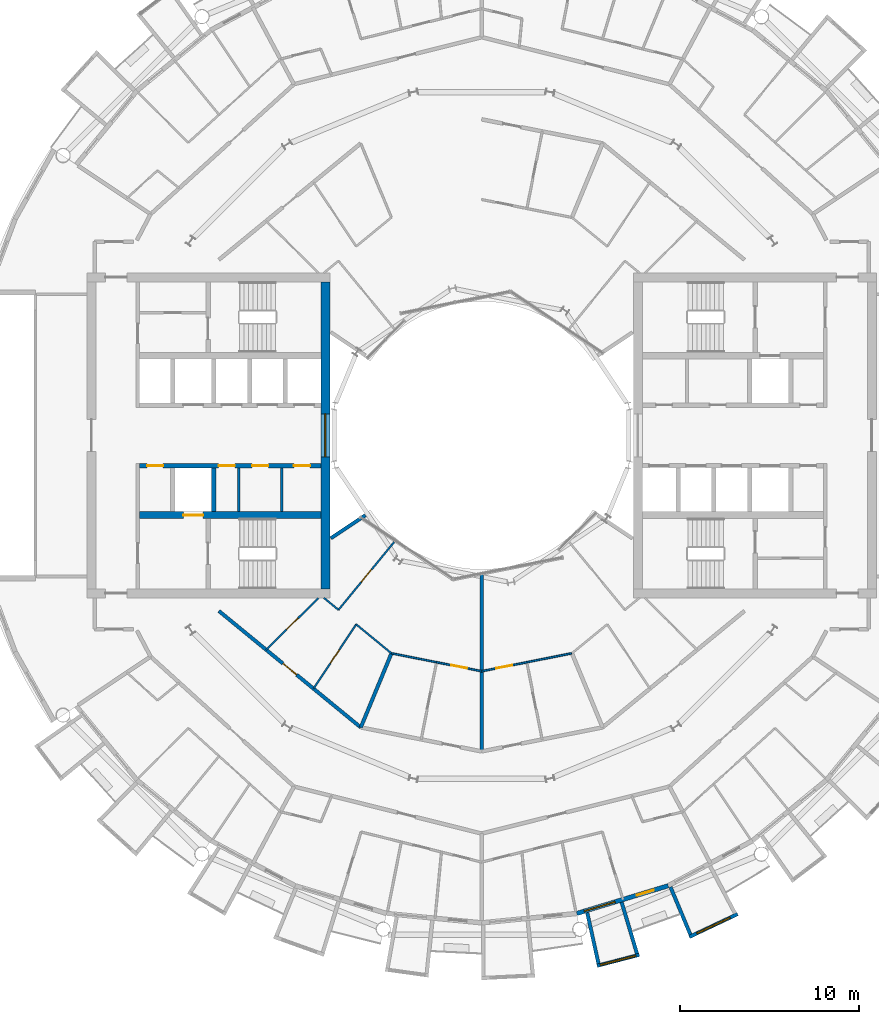
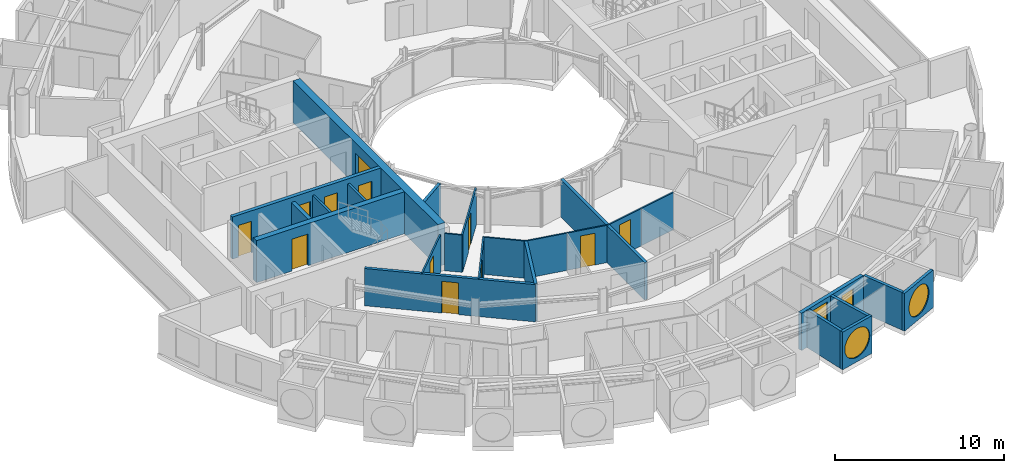
# One storey, part 16 of 26: 25 walls, 12 doors, 4 windows, 16 openings.
"""IFC4 building model written with IfcOpenShell, lengths in metres."""

import ifcopenshell
import ifcopenshell.guid

model = None  # the IFC model being written
_history = None  # IfcOwnerHistory: only IFC2X3 demands one
_inside = {}  # id of a spatial element -> (the spatial element, [elements in it])
_under = {}  # id of a project, library or spatial element -> (it, [spatial elements below it])
_declared = {}  # id of a project -> (the project, [libraries it declares])
_typed = {}  # id of a type object -> (the type object, [elements of that type])
_made_of = {}  # id of a material, layer set ... -> (it, [elements and type objects made of it])


def new_model(schema):
    """Start an empty IFC model of exactly this schema.

    Asked for "IFC4X3", IfcOpenShell would pick the latest addendum, in which some entities
    have other attributes; the version numbers below select the first issue.
    IFC2X3 requires an IfcOwnerHistory on every rooted entity: one is made here for all.
    """
    global model, _history
    if schema == "IFC4X3":
        model = ifcopenshell.file(schema_version=(4, 3, 0, 0))
    else:
        model = ifcopenshell.file(schema=schema)
    _inside.clear()
    _under.clear()
    _declared.clear()
    _typed.clear()
    _made_of.clear()
    _history = None
    if model.schema == "IFC2X3":
        org = make("IfcOrganization", Name="unknown")
        user = make(
            "IfcPersonAndOrganization",
            ThePerson=make("IfcPerson", FamilyName="unknown"),
            TheOrganization=org,
        )
        app = make(
            "IfcApplication",
            ApplicationDeveloper=org,
            Version="unknown",
            ApplicationFullName="unknown",
            ApplicationIdentifier="unknown",
        )
        _history = make(
            "IfcOwnerHistory",
            OwningUser=user,
            OwningApplication=app,
            ChangeAction="ADDED",
            CreationDate=0,
        )
    return model


def make(cls, **values):
    """One entity of the class cls with the attributes given. An attribute that is None is left unset."""
    return model.create_entity(
        cls, **{name: value for name, value in values.items() if value is not None}
    )


def rooted(cls, **values):
    """An entity with a GlobalId (a new one), such as an element, a storey or a relation."""
    return make(cls, GlobalId=ifcopenshell.guid.new(), OwnerHistory=_history, **values)


def si_unit(unit_type, name, prefix=None):
    """IfcSIUnit, for example si_unit("LENGTHUNIT", "METRE", prefix="MILLI")."""
    return make("IfcSIUnit", UnitType=unit_type, Prefix=prefix, Name=name)


def assignment(units):
    """IfcUnitAssignment: the units of a project."""
    return None if units is None else make("IfcUnitAssignment", Units=units)


def point(xyz):
    """IfcCartesianPoint."""
    return None if xyz is None else make("IfcCartesianPoint", Coordinates=xyz)


def direction(xyz):
    """IfcDirection."""
    return None if xyz is None else make("IfcDirection", DirectionRatios=xyz)


def frame(location, z_axis=None, x_axis=None):
    """IfcAxis2Placement3D, a coordinate frame: its origin and axes. An axis left out is left unset."""
    return make(
        "IfcAxis2Placement3D",
        Location=point(location),
        Axis=direction(z_axis),
        RefDirection=direction(x_axis),
    )


def frame_2d(location, x_axis=None):
    """IfcAxis2Placement2D, a coordinate frame in the plane: its origin and x axis."""
    return make(
        "IfcAxis2Placement2D", Location=point(location), RefDirection=direction(x_axis)
    )


def origin():
    """The frame at (0, 0, 0) with its axes left unset."""
    return frame((0.0, 0.0, 0.0))


def place(relative_to, where):
    """IfcLocalPlacement: puts the frame where relative to a parent placement (None: the world)."""
    return make(
        "IfcLocalPlacement", PlacementRelTo=relative_to, RelativePlacement=where
    )


def context(
    kind, dimensions, precision=None, world=None, true_north=None, identifier=None
):
    """IfcGeometricRepresentationContext, for example the 3D "Model" context."""
    return make(
        "IfcGeometricRepresentationContext",
        ContextIdentifier=identifier,
        ContextType=kind,
        CoordinateSpaceDimension=dimensions,
        Precision=precision,
        WorldCoordinateSystem=world,
        TrueNorth=true_north,
    )


def subcontext(parent, identifier, kind, view, scale=None):
    """IfcGeometricRepresentationSubContext, for example "Body" below "Model"."""
    return make(
        "IfcGeometricRepresentationSubContext",
        ContextIdentifier=identifier,
        ContextType=kind,
        ParentContext=parent,
        TargetScale=scale,
        TargetView=view,
    )


def project(units=None, contexts=None):
    """IfcProject with its units and contexts."""
    return rooted(
        "IfcProject",
        Name="project",
        RepresentationContexts=contexts,
        UnitsInContext=assignment(units),
    )


def spatial(cls, under=None, at=None, **own):
    """A site, building, storey or space (cls), placed at a placement, below another one or the project."""
    s = rooted(cls, ObjectPlacement=at, **own)
    if under is not None:
        _under.setdefault(under.id(), (under, []))[1].append(s)
    return s


def profile(cls, at=None, kind="AREA", **sizes):
    """A parametric profile (cls). Its sizes go by their IFC names, for example OverallWidth=200.0."""
    return make(cls, ProfileType=kind, Position=at, **sizes)


def rectangle(**sizes):
    """IfcRectangleProfileDef."""
    return profile("IfcRectangleProfileDef", **sizes)


def circle(**sizes):
    """IfcCircleProfileDef."""
    return profile("IfcCircleProfileDef", **sizes)


def extrude(swept, where, along, depth):
    """IfcExtrudedAreaSolid: the profile swept, set in the frame where, extruded along a direction by depth."""
    return make(
        "IfcExtrudedAreaSolid",
        SweptArea=swept,
        Position=where,
        ExtrudedDirection=direction(along),
        Depth=depth,
    )


def shape(context_of_items, identifier, shape_type, items):
    """IfcShapeRepresentation: the items that make up one representation, for example the "Body"."""
    return make(
        "IfcShapeRepresentation",
        ContextOfItems=context_of_items,
        RepresentationIdentifier=identifier,
        RepresentationType=shape_type,
        Items=items,
    )


def material(Name=None, Category=None):
    """IfcMaterial."""
    return make("IfcMaterial", Name=Name, Category=Category)


def layer(
    of_material, thickness, ventilated=None, Name=None, Category=None, Priority=None
):
    """IfcMaterialLayer: one layer of a wall or slab, of a material (None: an air gap)."""
    return make(
        "IfcMaterialLayer",
        Material=of_material,
        LayerThickness=thickness,
        IsVentilated=ventilated,
        Name=Name,
        Category=Category,
        Priority=Priority,
    )


def layer_set(layers, Name=None):
    """IfcMaterialLayerSet."""
    return make("IfcMaterialLayerSet", MaterialLayers=layers, LayerSetName=Name)


def made_of(thing, what):
    """Note that an element or type object is made of a material, layer set ...; save() writes the relation."""
    if what is not None:
        _made_of.setdefault(what.id(), (what, []))[1].append(thing)
    return thing


def type_object(cls, material=None, **own):
    """A type object (cls), such as IfcWallType, which elements share."""
    return made_of(rooted(cls, **own), material)


def element(
    cls,
    number,
    at=None,
    inside=None,
    cuts=None,
    type_object=None,
    material=None,
    context=None,
    identifier="Body",
    shape_type=None,
    held_by="IfcProductDefinitionShape",
    body=None,
    shapes=None,
    **own,
):
    """One element of the class cls, such as IfcWall. Its Tag is "e" and its number.

    at: its placement. inside: the storey or other place that contains it. cuts: it is an
    opening in that element (IfcRelVoidsElement). A single representation is given by context,
    identifier, shape_type and body (its items); several are given by shapes. held_by: the class
    of the entity that holds the representations. save() writes the other relations.
    """
    e = rooted(cls, Tag="e%d" % number, ObjectPlacement=at, **own)
    if body is not None:
        shapes = [shape(context, identifier, shape_type, body)]
    if shapes is not None:
        e.Representation = make(held_by, Representations=shapes)
    if inside is not None:
        _inside.setdefault(inside.id(), (inside, []))[1].append(e)
    if cuts is not None:
        rooted(
            "IfcRelVoidsElement", RelatingBuildingElement=cuts, RelatedOpeningElement=e
        )
    if type_object is not None:
        _typed.setdefault(type_object.id(), (type_object, []))[1].append(e)
    return made_of(e, material)


def fill(opening, filler):
    """IfcRelFillsElement: the door or window that sits in an opening."""
    return rooted(
        "IfcRelFillsElement",
        RelatingOpeningElement=opening,
        RelatedBuildingElement=filler,
    )


def aggregate(whole, parts):
    """IfcRelAggregates: a whole, such as a stair, and the parts it consists of."""
    return rooted("IfcRelAggregates", RelatingObject=whole, RelatedObjects=parts)


def save(model, path):
    """Write the relations noted so far, then the file.

    IfcRelAggregates (storeys below a building ...), IfcRelContainedInSpatialStructure (elements
    in a storey), IfcRelDefinesByType, IfcRelAssociatesMaterial and IfcRelDeclares: one each for
    every whole, place, type object, material and project.
    """
    for whole, parts in _under.values():
        aggregate(whole, parts)
    for where, things in _inside.values():
        rooted(
            "IfcRelContainedInSpatialStructure",
            RelatedElements=things,
            RelatingStructure=where,
        )
    for kind, things in _typed.values():
        rooted("IfcRelDefinesByType", RelatedObjects=things, RelatingType=kind)
    for what, things in _made_of.values():
        rooted("IfcRelAssociatesMaterial", RelatedObjects=things, RelatingMaterial=what)
    for by, libraries in _declared.values():
        rooted("IfcRelDeclares", RelatingContext=by, RelatedDefinitions=libraries)
    model.write(path)


model = new_model("IFC4")

# Units and contexts
model_context = context("Model", 3, precision=1e-05, world=origin(), true_north=direction((0.0, 1.0)))
body_context = subcontext(model_context, "Body", "Model", "MODEL_VIEW")
ifc_project = project(units=[si_unit("LENGTHUNIT", "METRE"), si_unit("AREAUNIT", "SQUARE_METRE"), si_unit("VOLUMEUNIT", "CUBIC_METRE"), si_unit("PLANEANGLEUNIT", "RADIAN"), si_unit("MASSUNIT", "GRAM", prefix="KILO")], contexts=[model_context])

# Site, building, storey
site_placement = place(None, origin())
site = spatial("IfcSite", under=ifc_project, at=site_placement, CompositionType="ELEMENT")
building_placement = place(site_placement, origin())
building = spatial("IfcBuilding", under=site, at=building_placement, Name="Maasbend Ring Residences", CompositionType="ELEMENT")
storey_placement = place(building_placement, frame((0.0, 0.0, 161.60009765625)))
storey = spatial("IfcBuildingStorey", under=building, at=storey_placement, Name="L46", CompositionType="ELEMENT", Elevation=161.60009765625)

# Wall, openings, doors
ifc_material_1 = material(Name="Concrete C60/75", Category="concrete")
ifc_layer_1 = layer(ifc_material_1, 0.25)
ifc_layer_set_1 = layer_set([ifc_layer_1], Name="Concrete C60/75")
wall_type_1 = type_object("IfcWallType", Name="CORE WALL 250 C60/75", PredefinedType="SHEAR", material=ifc_layer_set_1)
wall_1_placement = place(storey_placement, frame((-9.0, -1.699951171875, 0.0), z_axis=(0.0, 0.0, 1.0), x_axis=(-1.0, 0.0, 0.0)))
wall_1 = element("IfcWall", 1, at=wall_1_placement, inside=storey, type_object=wall_type_1, Name="L46 core W wall SPN", PredefinedType="SHEAR", context=body_context, shape_type="SweptSolid", body=[
    extrude(rectangle(XDim=10.14990234375, YDim=0.25, at=frame_2d((5.074951171875, 0.0))), origin(), (0.0, 0.0, 1.0), 3.0498046875),
])
opening_1_placement = place(wall_1_placement, frame((0.612548828125, 0.0, 0.0)))
opening_1 = element("IfcOpeningElement", 2, at=opening_1_placement, cuts=wall_1, Name="Opening D-W4606", PredefinedType="OPENING", context=body_context, shape_type="SweptSolid", body=[
    extrude(rectangle(XDim=0.89990234375, YDim=2.300048828125, at=frame_2d((0.449951171875, 1.14990234375))), frame((0.0, 0.135009765625, 0.0), z_axis=(0.0, -1.0, 0.0), x_axis=(1.0, 0.0, 0.0)), (0.0, 0.0, 1.0), 0.27001953125),
])
opening_2_placement = place(wall_1_placement, frame((2.949951171875, 0.0, 0.0)))
opening_2 = element("IfcOpeningElement", 3, at=opening_2_placement, cuts=wall_1, Name="Opening D-W4607", PredefinedType="OPENING", context=body_context, shape_type="SweptSolid", body=[
    extrude(rectangle(XDim=0.89990234375, YDim=2.300048828125, at=frame_2d((0.449951171875, 1.14990234375))), frame((0.0, 0.135009765625, 0.0), z_axis=(0.0, -1.0, 0.0), x_axis=(1.0, 0.0, 0.0)), (0.0, 0.0, 1.0), 0.27001953125),
])
opening_3_placement = place(wall_1_placement, frame((4.824951171875, 0.0, 0.0)))
opening_3 = element("IfcOpeningElement", 4, at=opening_3_placement, cuts=wall_1, Name="Opening D-W4608", PredefinedType="OPENING", context=body_context, shape_type="SweptSolid", body=[
    extrude(rectangle(XDim=0.89990234375, YDim=2.300048828125, at=frame_2d((0.449951171875, 1.14990234375))), frame((0.0, 0.135009765625, 0.0), z_axis=(0.0, -1.0, 0.0), x_axis=(1.0, 0.0, 0.0)), (0.0, 0.0, 1.0), 0.27001953125),
])
opening_4_placement = place(wall_1_placement, frame((8.83740234375, 0.0, 0.0)))
opening_4 = element("IfcOpeningElement", 5, at=opening_4_placement, cuts=wall_1, Name="Opening D-W4609", PredefinedType="OPENING", context=body_context, shape_type="SweptSolid", body=[
    extrude(rectangle(XDim=0.89990234375, YDim=2.300048828125, at=frame_2d((0.449951171875, 1.14990234375))), frame((0.0, 0.135009765625, 0.0), z_axis=(0.0, -1.0, 0.0), x_axis=(1.0, 0.0, 0.0)), (0.0, 0.0, 1.0), 0.27001953125),
])
ifc_material_2 = material(Name="Steel, powder coated", Category="steel")
door_type_1 = type_object("IfcDoorType", Name="ROOM DOOR 900 X 2300 FD30S", OperationType="NOTDEFINED", PredefinedType="DOOR", material=ifc_material_2)
door_1_placement = place(opening_1_placement, origin())
door_1 = element("IfcDoor", 6, at=door_1_placement, inside=storey, type_object=door_type_1, Name="Room door L46", OperationType="SINGLE_SWING_RIGHT", OverallHeight=2.300048828125, OverallWidth=0.89990234375, PredefinedType="DOOR", context=body_context, shape_type="SweptSolid", body=[
    extrude(rectangle(XDim=0.89990234375, YDim=2.300048828125, at=frame_2d((0.449951171875, 1.14990234375))), frame((0.0, 0.02490234375, 0.0), z_axis=(0.0, -1.0, 0.0), x_axis=(1.0, 0.0, 0.0)), (0.0, 0.0, 1.0), 0.050048828125),
])
fill(opening_1, door_1)
door_2_placement = place(opening_2_placement, origin())
door_2 = element("IfcDoor", 7, at=door_2_placement, inside=storey, type_object=door_type_1, Name="Room door L46", OperationType="SINGLE_SWING_RIGHT", OverallHeight=2.300048828125, OverallWidth=0.89990234375, PredefinedType="DOOR", context=body_context, shape_type="SweptSolid", body=[
    extrude(rectangle(XDim=0.89990234375, YDim=2.300048828125, at=frame_2d((0.449951171875, 1.14990234375))), frame((0.0, 0.02490234375, 0.0), z_axis=(0.0, -1.0, 0.0), x_axis=(1.0, 0.0, 0.0)), (0.0, 0.0, 1.0), 0.050048828125),
])
fill(opening_2, door_2)
door_3_placement = place(opening_3_placement, origin())
door_3 = element("IfcDoor", 8, at=door_3_placement, inside=storey, type_object=door_type_1, Name="Room door L46", OperationType="SINGLE_SWING_LEFT", OverallHeight=2.300048828125, OverallWidth=0.89990234375, PredefinedType="DOOR", context=body_context, shape_type="SweptSolid", body=[
    extrude(rectangle(XDim=0.89990234375, YDim=2.300048828125, at=frame_2d((0.449951171875, 1.14990234375))), frame((0.0, 0.02490234375, 0.0), z_axis=(0.0, -1.0, 0.0), x_axis=(1.0, 0.0, 0.0)), (0.0, 0.0, 1.0), 0.050048828125),
])
fill(opening_3, door_3)
door_4_placement = place(opening_4_placement, origin())
door_4 = element("IfcDoor", 9, at=door_4_placement, inside=storey, type_object=door_type_1, Name="Room door L46", OperationType="SINGLE_SWING_LEFT", OverallHeight=2.300048828125, OverallWidth=0.89990234375, PredefinedType="DOOR", context=body_context, shape_type="SweptSolid", body=[
    extrude(rectangle(XDim=0.89990234375, YDim=2.300048828125, at=frame_2d((0.449951171875, 1.14990234375))), frame((0.0, 0.02490234375, 0.0), z_axis=(0.0, -1.0, 0.0), x_axis=(1.0, 0.0, 0.0)), (0.0, 0.0, 1.0), 0.050048828125),
])
fill(opening_4, door_4)

# Wall, opening, door
ifc_material_3 = material(Name="Concrete C60/75", Category="concrete")
ifc_layer_2 = layer(ifc_material_3, 0.375)
ifc_layer_set_2 = layer_set([ifc_layer_2], Name="Concrete C60/75")
wall_type_2 = type_object("IfcWallType", Name="CORE WALL 375 C60/75", PredefinedType="SHEAR", material=ifc_layer_set_2)
wall_2_placement = place(storey_placement, frame((-9.0, -4.46240234375, 0.0), z_axis=(0.0, 0.0, 1.0), x_axis=(-1.0, 0.0, 0.0)))
wall_2 = element("IfcWall", 10, at=wall_2_placement, inside=storey, type_object=wall_type_2, Name="L46 core W wall BN", PredefinedType="SHEAR", context=body_context, shape_type="SweptSolid", body=[
    extrude(rectangle(XDim=10.14990234375, YDim=0.375, at=frame_2d((5.074951171875, 0.0))), origin(), (0.0, 0.0, 1.0), 3.0498046875),
])
opening_5_placement = place(wall_2_placement, frame((6.60009765625, 0.0, 0.0)))
opening_5 = element("IfcOpeningElement", 11, at=opening_5_placement, cuts=wall_2, Name="Opening LD-W4601", PredefinedType="OPENING", context=body_context, shape_type="SweptSolid", body=[
    extrude(rectangle(XDim=1.10009765625, YDim=2.300048828125, at=frame_2d((0.550048828125, 1.14990234375))), frame((0.0, 0.197509765625, 0.0), z_axis=(0.0, -1.0, 0.0), x_axis=(1.0, 0.0, 0.0)), (0.0, 0.0, 1.0), 0.39501953125),
])
ifc_material_4 = material(Name="Stainless steel 316", Category="steel")
door_type_2 = type_object("IfcDoorType", Name="LANDING DOOR 1100 X 2300 FD60", OperationType="DOUBLE_DOOR_SLIDING", PredefinedType="DOOR", material=ifc_material_4)
door_5_placement = place(opening_5_placement, origin())
door_5 = element("IfcDoor", 12, at=door_5_placement, inside=storey, type_object=door_type_2, Name="Landing door FF-W L46", OperationType="DOUBLE_DOOR_SLIDING", OverallHeight=2.300048828125, OverallWidth=1.10009765625, PredefinedType="DOOR", context=body_context, shape_type="SweptSolid", body=[
    extrude(rectangle(XDim=1.10009765625, YDim=2.300048828125, at=frame_2d((0.550048828125, 1.14990234375))), frame((0.0, 0.02490234375, 0.0), z_axis=(0.0, -1.0, 0.0), x_axis=(1.0, 0.0, 0.0)), (0.0, 0.0, 1.0), 0.050048828125),
])
fill(opening_5, door_5)

# Wall, opening, window
ifc_material_5 = material(Name="Concrete C60/75", Category="concrete")
ifc_layer_3 = layer(ifc_material_5, 0.5)
ifc_layer_set_3 = layer_set([ifc_layer_3], Name="Concrete C60/75")
wall_type_3 = type_object("IfcWallType", Name="CORE WALL 500 C60/75", PredefinedType="SHEAR", material=ifc_layer_set_3)
wall_3_placement = place(storey_placement, frame((-8.75, 8.60009765625, 0.0), z_axis=(0.0, 0.0, 1.0), x_axis=(0.0, -1.0, 0.0)))
wall_3 = element("IfcWall", 13, at=wall_3_placement, inside=storey, type_object=wall_type_3, Name="L46 core W wall PIN", PredefinedType="SHEAR", context=body_context, shape_type="SweptSolid", body=[
    extrude(rectangle(XDim=17.2001953125, YDim=0.5, at=frame_2d((8.60009765625, 0.0))), origin(), (0.0, 0.0, 1.0), 3.0498046875),
])
opening_6_placement = place(wall_3_placement, frame((7.39990234375, 0.0, 0.10009765625)))
opening_6 = element("IfcOpeningElement", 14, at=opening_6_placement, cuts=wall_3, Name="Opening W-W4601", PredefinedType="OPENING", context=body_context, shape_type="SweptSolid", body=[
    extrude(rectangle(XDim=2.39990234375, YDim=2.199951171875, at=frame_2d((1.199951171875, 1.10009765625))), frame((0.0, 0.260009765625, 0.0), z_axis=(0.0, -1.0, 0.0), x_axis=(1.0, 0.0, 0.0)), (0.0, 0.0, 1.0), 0.52001953125),
])
ifc_material_6 = material(Name="Aluminium frame and clear glass", Category="aluminium")
window_type_1 = type_object("IfcWindowType", Name="FIXED WINDOW 2400 X 2200", PartitioningType="SINGLE_PANEL", PredefinedType="WINDOW", material=ifc_material_6)
window_1_placement = place(opening_6_placement, origin())
window_1 = element("IfcWindow", 15, at=window_1_placement, inside=storey, type_object=window_type_1, Name="Lobby window L46", OverallHeight=2.199951171875, OverallWidth=2.39990234375, PartitioningType="SINGLE_PANEL", PredefinedType="WINDOW", context=body_context, shape_type="SweptSolid", body=[
    extrude(rectangle(XDim=2.39990234375, YDim=2.199951171875, at=frame_2d((1.199951171875, 1.10009765625))), frame((0.0, 0.030029296875, 0.0), z_axis=(0.0, -1.0, 0.0), x_axis=(1.0, 0.0, 0.0)), (0.0, 0.0, 1.0), 0.06005859375),
])
fill(opening_6, window_1)

# Wall, opening, door
ifc_material_7 = material(Name="Concrete C30/37", Category="concrete")
ifc_layer_4 = layer(ifc_material_7, 0.199951171875)
ifc_layer_set_4 = layer_set([ifc_layer_4], Name="Concrete C30/37")
wall_type_4 = type_object("IfcWallType", Name="CORRIDOR WALL 200 CONCRETE", PredefinedType="PARTITIONING", material=ifc_layer_set_4)
wall_4_placement = place(storey_placement, frame((-14.717041015625, -9.833984375, 0.0), z_axis=(0.0, 0.0, 1.0), x_axis=(0.773034536097, -0.634363938131, 0.0)))
wall_4 = element("IfcWall", 16, at=wall_4_placement, inside=storey, type_object=wall_type_4, Name="U-L46-w019", PredefinedType="PARTITIONING", context=body_context, shape_type="SweptSolid", body=[
    extrude(rectangle(XDim=10.276611328125, YDim=0.199951171875, at=frame_2d((5.13818359375, 0.0))), origin(), (0.0, 0.0, 1.0), 2.699951171875),
])
opening_7_placement = place(wall_4_placement, frame((4.637939453125, 0.0, 0.0)))
opening_7 = element("IfcOpeningElement", 17, at=opening_7_placement, cuts=wall_4, Name="Opening D-4652", PredefinedType="OPENING", context=body_context, shape_type="SweptSolid", body=[
    extrude(rectangle(XDim=1.0, YDim=2.300048828125, at=frame_2d((0.5, 1.14990234375))), frame((0.0, 0.10986328125, 0.0), z_axis=(0.0, -1.0, 0.0), x_axis=(1.0, 0.0, 0.0)), (0.0, 0.0, 1.0), 0.219970703125),
])
ifc_material_8 = material(Name="Timber, fire-rated, painted", Category="wood")
door_type_3 = type_object("IfcDoorType", Name="FLAT ENTRANCE DOOR 1000 X 2300 FIRE-RATED", OperationType="NOTDEFINED", PredefinedType="DOOR", material=ifc_material_8)
door_6_placement = place(opening_7_placement, origin())
door_6 = element("IfcDoor", 18, at=door_6_placement, inside=storey, type_object=door_type_3, Name="D-4652", OperationType="SINGLE_SWING_LEFT", OverallHeight=2.300048828125, OverallWidth=1.0, PredefinedType="DOOR", context=body_context, shape_type="SweptSolid", body=[
    extrude(rectangle(XDim=1.0, YDim=2.300048828125, at=frame_2d((0.5, 1.14990234375))), frame((0.0, 0.02490234375, 0.0), z_axis=(0.0, -1.0, 0.0), x_axis=(1.0, 0.0, 0.0)), (0.0, 0.0, 1.0), 0.050048828125),
])
fill(opening_7, door_6)

# Wall, opening, window
ifc_material_9 = material(Name="Pale anodised aluminium panel", Category="aluminium")
ifc_layer_5 = layer(ifc_material_9, 0.199951171875)
ifc_layer_set_5 = layer_set([ifc_layer_5], Name="EW-BOX")
wall_type_5 = type_object("IfcWallType", Name="EW-BOX", PredefinedType="SOLIDWALL", material=ifc_layer_set_5)
wall_5_placement = place(storey_placement, frame((6.4609375, -29.705078125, -0.030029296875), z_axis=(0.0, 0.0, 1.0), x_axis=(0.96789536872, 0.251353446784, 0.0)))
wall_5 = element("IfcWall", 19, at=wall_5_placement, inside=storey, type_object=wall_type_5, Name="Box front S13", PredefinedType="SOLIDWALL", context=body_context, shape_type="SweptSolid", body=[
    extrude(rectangle(XDim=2.44677734375, YDim=0.199951171875, at=frame_2d((1.223388671875, 0.0))), origin(), (0.0, 0.0, 1.0), 2.72998046875),
])
opening_8_placement = place(wall_5_placement, frame((0.182861328125, 0.0, 0.330078125)))
opening_8 = element("IfcOpeningElement", 20, at=opening_8_placement, cuts=wall_5, Name="Opening W-RD", PredefinedType="OPENING", context=body_context, shape_type="SweptSolid", body=[
    extrude(circle(Radius=1.0400390625, at=frame_2d((1.0400390625, 1.0400390625))), frame((0.0, 0.10986328125, 0.0), z_axis=(0.0, -1.0, 0.0), x_axis=(1.0, 0.0, 0.0)), (0.0, 0.0, 1.0), 0.219970703125),
])
ifc_material_10 = material(Name="Aluminium and clear glass", Category="aluminium")
window_type_2 = type_object("IfcWindowType", Name="W-RD", PartitioningType="SINGLE_PANEL", PredefinedType="WINDOW", material=ifc_material_10)
window_2_placement = place(opening_8_placement, origin())
window_2 = element("IfcWindow", 21, at=window_2_placement, inside=storey, type_object=window_type_2, Name="Round window S13", OverallHeight=2.080078125, OverallWidth=2.080078125, PartitioningType="SINGLE_PANEL", PredefinedType="WINDOW", context=body_context, shape_type="SweptSolid", body=[
    extrude(circle(Radius=1.0400390625, at=frame_2d((1.0400390625, 1.0400390625))), frame((0.0, 0.030029296875, 0.0), z_axis=(0.0, -1.0, 0.0), x_axis=(1.0, 0.0, 0.0)), (0.0, 0.0, 1.0), 0.06005859375),
])
fill(opening_8, window_2)

# Walls
wall_6_placement = place(storey_placement, frame((5.908935546875, -26.72900390625, -0.030029296875), z_axis=(0.0, 0.0, 1.0), x_axis=(0.216409053917, -0.976302781612, 0.0)))
element("IfcWall", 22, at=wall_6_placement, inside=storey, type_object=wall_type_5, Name="Box side wall S13 left", PredefinedType="SOLIDWALL", context=body_context, shape_type="SweptSolid", body=[
    extrude(rectangle(XDim=2.92529296875, YDim=0.199951171875, at=frame_2d((1.462646484375, 0.0))), origin(), (0.0, 0.0, 1.0), 2.72998046875),
])
wall_7_placement = place(storey_placement, frame((7.8369140625, -26.14404296875, -0.030029296875), z_axis=(0.0, 0.0, 1.0), x_axis=(0.287064767992, -0.957911174889, 0.0)))
element("IfcWall", 23, at=wall_7_placement, inside=storey, type_object=wall_type_5, Name="Box side wall S13 right", PredefinedType="SOLIDWALL", context=body_context, shape_type="SweptSolid", body=[
    extrude(rectangle(XDim=3.00634765625, YDim=0.199951171875, at=frame_2d((1.503173828125, 0.0))), origin(), (0.0, 0.0, 1.0), 2.72998046875),
])

# Wall, opening, window
wall_8_placement = place(storey_placement, frame((11.62890625, -28.087890625, -0.030029296875), z_axis=(0.0, 0.0, 1.0), x_axis=(0.904000060331, 0.427532327342, 0.0)))
wall_8 = element("IfcWall", 24, at=wall_8_placement, inside=storey, type_object=wall_type_5, Name="Box front S15", PredefinedType="SOLIDWALL", context=body_context, shape_type="SweptSolid", body=[
    extrude(rectangle(XDim=2.993408203125, YDim=0.199951171875, at=frame_2d((1.49658203125, 0.0))), origin(), (0.0, 0.0, 1.0), 2.72998046875),
])
opening_9_placement = place(wall_8_placement, frame((0.45654296875, 0.0, 0.330078125)))
opening_9 = element("IfcOpeningElement", 25, at=opening_9_placement, cuts=wall_8, Name="Opening W-RD", PredefinedType="OPENING", context=body_context, shape_type="SweptSolid", body=[
    extrude(circle(Radius=1.0400390625, at=frame_2d((1.0400390625, 1.0400390625))), frame((0.0, 0.10986328125, 0.0), z_axis=(0.0, -1.0, 0.0), x_axis=(1.0, 0.0, 0.0)), (0.0, 0.0, 1.0), 0.219970703125),
])
window_3_placement = place(opening_9_placement, origin())
window_3 = element("IfcWindow", 26, at=window_3_placement, inside=storey, type_object=window_type_2, Name="Round window S15", OverallHeight=2.080078125, OverallWidth=2.080078125, PartitioningType="SINGLE_PANEL", PredefinedType="WINDOW", context=body_context, shape_type="SweptSolid", body=[
    extrude(circle(Radius=1.0400390625, at=frame_2d((1.0400390625, 1.0400390625))), frame((0.0, 0.030029296875, 0.0), z_axis=(0.0, -1.0, 0.0), x_axis=(1.0, 0.0, 0.0)), (0.0, 0.0, 1.0), 0.06005859375),
])
fill(opening_9, window_3)

# Wall
wall_9_placement = place(storey_placement, frame((10.574951171875, -25.294921875, -0.030029296875), z_axis=(0.0, 0.0, 1.0), x_axis=(0.385697364644, -0.922625353492, 0.0)))
element("IfcWall", 27, at=wall_9_placement, inside=storey, type_object=wall_type_5, Name="Box side wall S15 left", PredefinedType="SOLIDWALL", context=body_context, shape_type="SweptSolid", body=[
    extrude(rectangle(XDim=2.88330078125, YDim=0.199951171875, at=frame_2d((1.441650390625, 0.0))), origin(), (0.0, 0.0, 1.0), 2.72998046875),
])

# Wall, openings, door, window
ifc_material_11 = material(Name="Aluminium clad insulated panel", Category="aluminium")
ifc_layer_6 = layer(ifc_material_11, 0.25)
ifc_layer_set_6 = layer_set([ifc_layer_6], Name="EW-GL")
wall_type_6 = type_object("IfcWallType", Name="EW-GL", PredefinedType="SOLIDWALL", material=ifc_layer_set_6)
wall_10_placement = place(storey_placement, frame((5.325927734375, -26.77490234375, 0.0), z_axis=(0.0, 0.0, 1.0), x_axis=(0.956965678721, 0.290201119486, 0.0)))
wall_10 = element("IfcWall", 28, at=wall_10_placement, inside=storey, type_object=wall_type_6, Name="External wall S07", PredefinedType="SOLIDWALL", context=body_context, shape_type="SweptSolid", body=[
    extrude(rectangle(XDim=5.351318359375, YDim=0.25, at=frame_2d((2.67578125, 0.0))), origin(), (0.0, 0.0, 1.0), 2.699951171875),
])
opening_10_placement = place(wall_10_placement, frame((0.441162109375, 0.0, 0.300048828125)))
opening_10 = element("IfcOpeningElement", 29, at=opening_10_placement, cuts=wall_10, Name="Opening W-BX", PredefinedType="OPENING", context=body_context, shape_type="SweptSolid", body=[
    extrude(rectangle(XDim=1.800048828125, YDim=2.10009765625, at=frame_2d((0.89990234375, 1.050048828125))), frame((0.0, 0.135009765625, 0.0), z_axis=(0.0, -1.0, 0.0), x_axis=(1.0, 0.0, 0.0)), (0.0, 0.0, 1.0), 0.27001953125),
])
opening_11_placement = place(wall_10_placement, frame((3.510498046875, 0.0, 0.0)))
opening_11 = element("IfcOpeningElement", 30, at=opening_11_placement, cuts=wall_10, Name="Opening D-LG", PredefinedType="OPENING", context=body_context, shape_type="SweptSolid", body=[
    extrude(rectangle(XDim=1.0, YDim=2.199951171875, at=frame_2d((0.5, 1.10009765625))), frame((0.0, 0.135009765625, 0.0), z_axis=(0.0, -1.0, 0.0), x_axis=(1.0, 0.0, 0.0)), (0.0, 0.0, 1.0), 0.27001953125),
])
ifc_material_12 = material(Name="Aluminium and clear glass", Category="aluminium")
door_type_4 = type_object("IfcDoorType", Name="D-LG", OperationType="SINGLE_SWING_LEFT", PredefinedType="DOOR", material=ifc_material_12)
door_7_placement = place(opening_11_placement, origin())
door_7 = element("IfcDoor", 31, at=door_7_placement, inside=storey, type_object=door_type_4, Name="Loggia door S14", OperationType="SINGLE_SWING_LEFT", OverallHeight=2.199951171875, OverallWidth=1.0, PredefinedType="DOOR", context=body_context, shape_type="SweptSolid", body=[
    extrude(rectangle(XDim=1.0, YDim=2.199951171875, at=frame_2d((0.5, 1.10009765625))), frame((0.0, 0.02490234375, 0.0), z_axis=(0.0, -1.0, 0.0), x_axis=(1.0, 0.0, 0.0)), (0.0, 0.0, 1.0), 0.050048828125),
])
fill(opening_11, door_7)
ifc_material_13 = material(Name="Aluminium and clear glass", Category="aluminium")
window_type_3 = type_object("IfcWindowType", Name="W-BX", PartitioningType="DOUBLE_PANEL_VERTICAL", PredefinedType="WINDOW", material=ifc_material_13)
window_4_placement = place(opening_10_placement, origin())
window_4 = element("IfcWindow", 32, at=window_4_placement, inside=storey, type_object=window_type_3, Name="Window S13 room to box", OverallHeight=2.10009765625, OverallWidth=1.800048828125, PartitioningType="SINGLE_PANEL", PredefinedType="WINDOW", context=body_context, shape_type="SweptSolid", body=[
    extrude(rectangle(XDim=1.800048828125, YDim=2.10009765625, at=frame_2d((0.89990234375, 1.050048828125))), frame((0.0, 0.030029296875, 0.0), z_axis=(0.0, -1.0, 0.0), x_axis=(1.0, 0.0, 0.0)), (0.0, 0.0, 1.0), 0.06005859375),
])
fill(opening_10, window_4)

# Wall, opening, door
ifc_material_14 = material(Name="Gypsum board on steel studs", Category="steel")
ifc_layer_7 = layer(ifc_material_14, 0.10009765625)
ifc_layer_set_7 = layer_set([ifc_layer_7], Name="PARTITION 100 GYPSUM")
wall_type_7 = type_object("IfcWallType", Name="PARTITION 100 GYPSUM", PredefinedType="PARTITIONING", material=ifc_layer_set_7)
wall_11_placement = place(storey_placement, frame((-2.527099609375, -12.7060546875, 0.0), z_axis=(0.0, 0.0, 1.0), x_axis=(0.980766092797, -0.195186759846, 0.0)))
wall_11 = element("IfcWall", 33, at=wall_11_placement, inside=storey, type_object=wall_type_7, Name="U-L46-w021", PredefinedType="PARTITIONING", context=body_context, shape_type="SweptSolid", body=[
    extrude(rectangle(XDim=2.57666015625, YDim=0.10009765625, at=frame_2d((1.288330078125, 0.0))), origin(), (0.0, 0.0, 1.0), 2.699951171875),
])
opening_12_placement = place(wall_11_placement, frame((0.837890625, 0.0, 0.0)))
opening_12 = element("IfcOpeningElement", 34, at=opening_12_placement, cuts=wall_11, Name="Opening D-4658", PredefinedType="OPENING", context=body_context, shape_type="SweptSolid", body=[
    extrude(rectangle(XDim=0.89990234375, YDim=2.300048828125, at=frame_2d((0.449951171875, 1.14990234375))), frame((0.0, 0.06005859375, 0.0), z_axis=(0.0, -1.0, 0.0), x_axis=(1.0, 0.0, 0.0)), (0.0, 0.0, 1.0), 0.1201171875),
])
ifc_material_15 = material(Name="Timber, painted", Category="wood")
door_type_5 = type_object("IfcDoorType", Name="INTERNAL DOOR 900 X 2300", OperationType="NOTDEFINED", PredefinedType="DOOR", material=ifc_material_15)
door_8_placement = place(opening_12_placement, origin())
door_8 = element("IfcDoor", 35, at=door_8_placement, inside=storey, type_object=door_type_5, Name="D-4658", OperationType="SINGLE_SWING_LEFT", OverallHeight=2.300048828125, OverallWidth=0.89990234375, PredefinedType="DOOR", context=body_context, shape_type="SweptSolid", body=[
    extrude(rectangle(XDim=0.89990234375, YDim=2.300048828125, at=frame_2d((0.449951171875, 1.14990234375))), frame((0.0, 0.02490234375, 0.0), z_axis=(0.0, -1.0, 0.0), x_axis=(1.0, 0.0, 0.0)), (0.0, 0.0, 1.0), 0.050048828125),
])
fill(opening_12, door_8)

wall_12_placement = place(storey_placement, frame((0.0, -13.208984375, 0.0), z_axis=(0.0, 0.0, 1.0), x_axis=(0.980766092797, 0.195186759846, 0.0)))
wall_12 = element("IfcWall", 36, at=wall_12_placement, inside=storey, type_object=wall_type_7, Name="U-L46-w022", PredefinedType="PARTITIONING", context=body_context, shape_type="SweptSolid", body=[
    extrude(rectangle(XDim=2.57666015625, YDim=0.10009765625, at=frame_2d((1.288330078125, 0.0))), origin(), (0.0, 0.0, 1.0), 2.699951171875),
])
opening_13_placement = place(wall_12_placement, frame((0.837890625, 0.0, 0.0)))
opening_13 = element("IfcOpeningElement", 37, at=opening_13_placement, cuts=wall_12, Name="Opening D-4661", PredefinedType="OPENING", context=body_context, shape_type="SweptSolid", body=[
    extrude(rectangle(XDim=0.89990234375, YDim=2.300048828125, at=frame_2d((0.449951171875, 1.14990234375))), frame((0.0, 0.06005859375, 0.0), z_axis=(0.0, -1.0, 0.0), x_axis=(1.0, 0.0, 0.0)), (0.0, 0.0, 1.0), 0.1201171875),
])
door_9_placement = place(opening_13_placement, origin())
door_9 = element("IfcDoor", 38, at=door_9_placement, inside=storey, type_object=door_type_5, Name="D-4661", OperationType="SINGLE_SWING_RIGHT", OverallHeight=2.300048828125, OverallWidth=0.89990234375, PredefinedType="DOOR", context=body_context, shape_type="SweptSolid", body=[
    extrude(rectangle(XDim=0.89990234375, YDim=2.300048828125, at=frame_2d((0.449951171875, 1.14990234375))), frame((0.0, 0.02490234375, 0.0), z_axis=(0.0, -1.0, 0.0), x_axis=(1.0, 0.0, 0.0)), (0.0, 0.0, 1.0), 0.050048828125),
])
fill(opening_13, door_9)

# Walls
wall_13_placement = place(storey_placement, frame((-8.839111328125, -9.097900390625, 0.0), z_axis=(0.0, 0.0, 1.0), x_axis=(0.7731800648, -0.634186555673, 0.0)))
element("IfcWall", 39, at=wall_13_placement, inside=storey, type_object=wall_type_7, Name="U-L46-w023", PredefinedType="PARTITIONING", context=body_context, shape_type="SweptSolid", body=[
    extrude(rectangle(XDim=1.064453125, YDim=0.10009765625, at=frame_2d((0.5322265625, 0.0))), origin(), (0.0, 0.0, 1.0), 2.699951171875),
])
wall_14_placement = place(storey_placement, frame((-7.031005859375, -10.58203125, 0.0), z_axis=(0.0, 0.0, 1.0), x_axis=(0.772943675046, -0.634474645046, 0.0)))
element("IfcWall", 40, at=wall_14_placement, inside=storey, type_object=wall_type_7, Name="U-L46-w024", PredefinedType="PARTITIONING", context=body_context, shape_type="SweptSolid", body=[
    extrude(rectangle(XDim=2.556640625, YDim=0.10009765625, at=frame_2d((1.2783203125, 0.0))), origin(), (0.0, 0.0, 1.0), 2.699951171875),
])

# Wall, opening, door
wall_15_placement = place(storey_placement, frame((-12.06494140625, -12.010986328125, 0.0), z_axis=(0.0, 0.0, 1.0), x_axis=(0.708793214553, 0.705416316088, 0.0)))
wall_15 = element("IfcWall", 41, at=wall_15_placement, inside=storey, type_object=wall_type_7, Name="U-L46-w045", PredefinedType="PARTITIONING", context=body_context, shape_type="SweptSolid", body=[
    extrude(rectangle(XDim=4.120849609375, YDim=0.10009765625, at=frame_2d((2.060546875, 0.0))), origin(), (0.0, 0.0, 1.0), 2.699951171875),
])
opening_14_placement = place(wall_15_placement, frame((1.611083984375, 0.0, 0.0)))
opening_14 = element("IfcOpeningElement", 42, at=opening_14_placement, cuts=wall_15, Name="Opening D-4654", PredefinedType="OPENING", context=body_context, shape_type="SweptSolid", body=[
    extrude(rectangle(XDim=0.89990234375, YDim=2.300048828125, at=frame_2d((0.449951171875, 1.14990234375))), frame((0.0, 0.06005859375, 0.0), z_axis=(0.0, -1.0, 0.0), x_axis=(1.0, 0.0, 0.0)), (0.0, 0.0, 1.0), 0.1201171875),
])
door_10_placement = place(opening_14_placement, origin())
door_10 = element("IfcDoor", 43, at=door_10_placement, inside=storey, type_object=door_type_5, Name="D-4654", OperationType="SINGLE_SWING_LEFT", OverallHeight=2.300048828125, OverallWidth=0.89990234375, PredefinedType="DOOR", context=body_context, shape_type="SweptSolid", body=[
    extrude(rectangle(XDim=0.89990234375, YDim=2.300048828125, at=frame_2d((0.449951171875, 1.14990234375))), frame((0.0, 0.02490234375, 0.0), z_axis=(0.0, -1.0, 0.0), x_axis=(1.0, 0.0, 0.0)), (0.0, 0.0, 1.0), 0.050048828125),
])
fill(opening_14, door_10)

wall_16_placement = place(storey_placement, frame((-9.41796875, -14.181884765625, 0.0), z_axis=(0.0, 0.0, 1.0), x_axis=(0.553303732327, 0.832979579457, 0.0)))
wall_16 = element("IfcWall", 44, at=wall_16_placement, inside=storey, type_object=wall_type_7, Name="U-L46-w047", PredefinedType="PARTITIONING", context=body_context, shape_type="SweptSolid", body=[
    extrude(rectangle(XDim=4.3193359375, YDim=0.10009765625, at=frame_2d((2.15966796875, 0.0))), origin(), (0.0, 0.0, 1.0), 2.699951171875),
])
opening_15_placement = place(wall_16_placement, frame((1.7099609375, 0.0, 0.0)))
opening_15 = element("IfcOpeningElement", 45, at=opening_15_placement, cuts=wall_16, Name="Opening D-4653", PredefinedType="OPENING", context=body_context, shape_type="SweptSolid", body=[
    extrude(rectangle(XDim=0.89990234375, YDim=2.300048828125, at=frame_2d((0.449951171875, 1.14990234375))), frame((0.0, 0.06005859375, 0.0), z_axis=(0.0, -1.0, 0.0), x_axis=(1.0, 0.0, 0.0)), (0.0, 0.0, 1.0), 0.1201171875),
])
door_11_placement = place(opening_15_placement, origin())
door_11 = element("IfcDoor", 46, at=door_11_placement, inside=storey, type_object=door_type_5, Name="D-4653", OperationType="SINGLE_SWING_RIGHT", OverallHeight=2.300048828125, OverallWidth=0.89990234375, PredefinedType="DOOR", context=body_context, shape_type="SweptSolid", body=[
    extrude(rectangle(XDim=0.89990234375, YDim=2.300048828125, at=frame_2d((0.449951171875, 1.14990234375))), frame((0.0, 0.02490234375, 0.0), z_axis=(0.0, -1.0, 0.0), x_axis=(1.0, 0.0, 0.0)), (0.0, 0.0, 1.0), 0.050048828125),
])
fill(opening_15, door_11)

wall_17_placement = place(storey_placement, frame((-8.01904296875, -9.77099609375, 0.0), z_axis=(0.0, 0.0, 1.0), x_axis=(0.634401778971, 0.773003481776, 0.0)))
wall_17 = element("IfcWall", 47, at=wall_17_placement, inside=storey, type_object=wall_type_7, Name="U-L46-w049", PredefinedType="PARTITIONING", context=body_context, shape_type="SweptSolid", body=[
    extrude(rectangle(XDim=4.919677734375, YDim=0.10009765625, at=frame_2d((2.4599609375, 0.0))), origin(), (0.0, 0.0, 1.0), 2.699951171875),
])
opening_16_placement = place(wall_17_placement, frame((2.010009765625, 0.0, 0.0)))
opening_16 = element("IfcOpeningElement", 48, at=opening_16_placement, cuts=wall_17, Name="Opening D-4655", PredefinedType="OPENING", context=body_context, shape_type="SweptSolid", body=[
    extrude(rectangle(XDim=0.89990234375, YDim=2.300048828125, at=frame_2d((0.449951171875, 1.14990234375))), frame((0.0, 0.06005859375, 0.0), z_axis=(0.0, -1.0, 0.0), x_axis=(1.0, 0.0, 0.0)), (0.0, 0.0, 1.0), 0.1201171875),
])
door_12_placement = place(opening_16_placement, origin())
door_12 = element("IfcDoor", 49, at=door_12_placement, inside=storey, type_object=door_type_5, Name="D-4655", OperationType="SINGLE_SWING_LEFT", OverallHeight=2.300048828125, OverallWidth=0.89990234375, PredefinedType="DOOR", context=body_context, shape_type="SweptSolid", body=[
    extrude(rectangle(XDim=0.89990234375, YDim=2.300048828125, at=frame_2d((0.449951171875, 1.14990234375))), frame((0.0, 0.02490234375, 0.0), z_axis=(0.0, -1.0, 0.0), x_axis=(1.0, 0.0, 0.0)), (0.0, 0.0, 1.0), 0.050048828125),
])
fill(opening_16, door_12)

# Walls
for number, where, z_axis, x_axis, name in (
    (50, (-5.034912109375, -12.2080078125, 0.0), (0.0, 0.0, 1.0), (0.980857356895, -0.194727618547, 0.0), "U-L46-w122"),
    (51, (2.547119140625, -12.701904296875, 0.0), (0.0, 0.0, 1.0), (0.980857356895, 0.194727618547, 0.0), "U-L46-w123"),
):
    element("IfcWall", number, at=place(storey_placement, frame(where, z_axis=z_axis, x_axis=x_axis)), inside=storey, type_object=wall_type_7, Name=name, PredefinedType="PARTITIONING", context=body_context, shape_type="SweptSolid", body=[
        extrude(rectangle(XDim=2.536376953125, YDim=0.10009765625, at=frame_2d((1.26806640625, 0.0))), origin(), (0.0, 0.0, 1.0), 2.699951171875),
    ])
ifc_material_16 = material(Name="Gypsum board on steel studs", Category="steel")
ifc_layer_8 = layer(ifc_material_16, 0.14990234375)
ifc_layer_set_8 = layer_set([ifc_layer_8], Name="PARTITION 150 EI 60")
wall_type_8 = type_object("IfcWallType", Name="PARTITION 150 EI 60", PredefinedType="PARTITIONING", material=ifc_layer_set_8)
for number, where, z_axis, x_axis, name in (
    (52, (-11.199951171875, -1.824951171875, 0.0), (0.0, 0.0, 1.0), (0.0, -1.0, 0.0), "L46 core W wall PRN1120"),
    (53, (-13.60009765625, -1.824951171875, 0.0), (0.0, 0.0, 1.0), (0.0, -1.0, 0.0), "L46 core W wall PRN1360"),
):
    element("IfcWall", number, at=place(storey_placement, frame(where, z_axis=z_axis, x_axis=x_axis)), inside=storey, type_object=wall_type_8, Name=name, PredefinedType="PARTITIONING", context=body_context, shape_type="SweptSolid", body=[
        extrude(rectangle(XDim=2.449951171875, YDim=0.14990234375, at=frame_2d((1.22509765625, 0.0))), origin(), (0.0, 0.0, 1.0), 2.699951171875),
    ])
ifc_material_17 = material(Name="Concrete C30/37", Category="concrete")
ifc_layer_9 = layer(ifc_material_17, 0.199951171875)
ifc_layer_set_9 = layer_set([ifc_layer_9], Name="Concrete C30/37")
wall_type_9 = type_object("IfcWallType", Name="PARTY WALL 200 CONCRETE", PredefinedType="PARTITIONING", material=ifc_layer_set_9)
wall_18_placement = place(storey_placement, frame((-6.512939453125, -4.471923828125, 0.0), z_axis=(0.0, 0.0, 1.0), x_axis=(-0.83133816625, -0.555766905579, 0.0)))
element("IfcWall", 54, at=wall_18_placement, inside=storey, type_object=wall_type_9, Name="U-L46-w029", PredefinedType="PARTITIONING", context=body_context, shape_type="SweptSolid", body=[
    extrude(rectangle(XDim=2.322998046875, YDim=0.199951171875, at=frame_2d((1.16162109375, 0.0))), origin(), (0.0, 0.0, 1.0), 2.699951171875),
])
wall_19_placement = place(storey_placement, frame((-6.77001953125, -16.35400390625, 0.0), z_axis=(0.0, 0.0, 1.0), x_axis=(0.38258387732, 0.923920763277, 0.0)))
element("IfcWall", 55, at=wall_19_placement, inside=storey, type_object=wall_type_9, Name="U-L46-w053", PredefinedType="PARTITIONING", context=body_context, shape_type="SweptSolid", body=[
    extrude(rectangle(XDim=4.490478515625, YDim=0.199951171875, at=frame_2d((2.2451171875, 0.0))), origin(), (0.0, 0.0, 1.0), 2.699951171875),
])
wall_20_placement = place(storey_placement, frame((0.0, -17.699951171875, 0.0), z_axis=(0.0, 0.0, 1.0), x_axis=(0.0, 1.0, 0.0)))
element("IfcWall", 56, at=wall_20_placement, inside=storey, type_object=wall_type_9, Name="U-L46-w060", PredefinedType="PARTITIONING", context=body_context, shape_type="SweptSolid", body=[
    extrude(rectangle(XDim=9.97998046875, YDim=0.199951171875, at=frame_2d((4.989990234375, 0.0))), origin(), (0.0, 0.0, 1.0), 2.699951171875),
])
ifc_material_18 = material(Name="Concrete C30/37", Category="concrete")
ifc_layer_10 = layer(ifc_material_18, 0.25)
ifc_layer_set_10 = layer_set([ifc_layer_10], Name="Concrete C30/37")
wall_type_10 = type_object("IfcWallType", Name="SHAFT WALL 250 EI 120", PredefinedType="SOLIDWALL", material=ifc_layer_set_10)
wall_21_placement = place(storey_placement, frame((-15.0, -1.824951171875, 0.0), z_axis=(0.0, 0.0, 1.0), x_axis=(0.0, -1.0, 0.0)))
element("IfcWall", 57, at=wall_21_placement, inside=storey, type_object=wall_type_10, Name="L46 core W wall D150N", PredefinedType="SOLIDWALL", context=body_context, shape_type="SweptSolid", body=[
    extrude(rectangle(XDim=2.449951171875, YDim=0.25, at=frame_2d((1.22509765625, 0.0))), origin(), (0.0, 0.0, 1.0), 2.699951171875),
])

save(model, "model.ifc")
